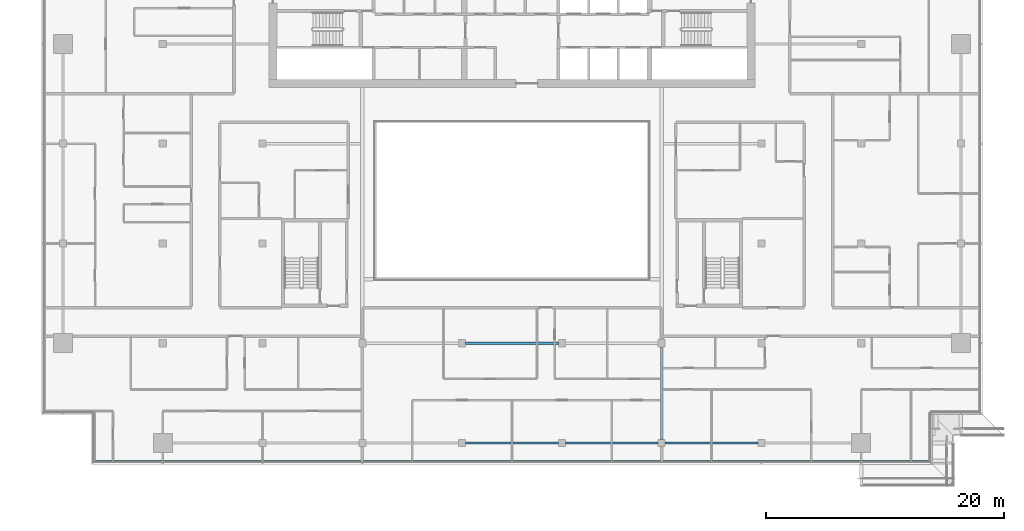
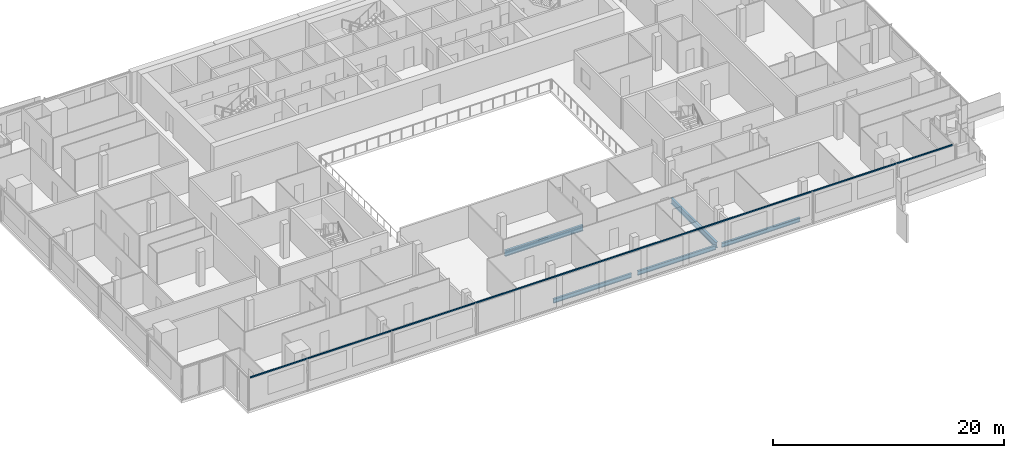
# One storey, part 7 of 30: 5 beams, 1 member, 1 element without a shape of its own.
"""IFC4 building model written with IfcOpenShell, lengths in metres."""

from ifc_helpers import new_model, si_unit, direction, frame, origin, origin_2d, place, context, subcontext, project, spatial, rectangle, i_section, extrude, material, material_profile, profile_set, type_object, element, aggregate, save


model = new_model("IFC4")

# Units and contexts
model_context = context("Model", 3, precision=1e-05, world=origin(), true_north=direction((0.0, 1.0)))
body_context = subcontext(model_context, "Body", "Model", "MODEL_VIEW")
ifc_project = project(units=[si_unit("LENGTHUNIT", "METRE"), si_unit("AREAUNIT", "SQUARE_METRE"), si_unit("VOLUMEUNIT", "CUBIC_METRE"), si_unit("PLANEANGLEUNIT", "RADIAN"), si_unit("MASSUNIT", "GRAM", prefix="KILO")], contexts=[model_context])

# Site, building, storey
site_placement = place(None, origin())
site = spatial("IfcSite", under=ifc_project, at=site_placement, CompositionType="ELEMENT")
building_placement = place(site_placement, origin())
building = spatial("IfcBuilding", under=site, at=building_placement, Name="Saffron Gate Tower", CompositionType="ELEMENT")
storey_placement = place(building_placement, frame((0.0, 0.0, 237.89990234375)))
storey = spatial("IfcBuildingStorey", under=building, at=storey_placement, Name="L58", CompositionType="ELEMENT", Elevation=237.89990234375)

# Beams
ifc_material_1 = material(Name="Structural steel S355", Category="steel")
ifc_material_profile_1 = material_profile(ifc_material_1, i_section(OverallWidth=0.219970703125, OverallDepth=0.60009765625, WebThickness=0.011962890625, FlangeThickness=0.01904296875, FilletRadius=0.02392578125, at=origin_2d()))
ifc_profile_set_1 = profile_set([ifc_material_profile_1], Name="Structural steel S355")
beam_type_1 = type_object("IfcBeamType", Name="B15 IPE 600", PredefinedType="BEAM", material=ifc_profile_set_1)
beam_1_placement = place(storey_placement, frame((100.199951171875, 32.10009765625, -0.579833984375), z_axis=(0.0, 1.0, 0.0), x_axis=(-1.0, 0.0, 0.0)))
element("IfcBeam", 1, at=beam_1_placement, inside=storey, type_object=beam_type_1, Name="B15 FLOOR GIRDER", PredefinedType="BEAM", context=body_context, shape_type="SweptSolid", body=[
    extrude(i_section(OverallWidth=0.219970703125, OverallDepth=0.60009765625, WebThickness=0.011962890625, FlangeThickness=0.01904296875, FilletRadius=0.02392578125, at=origin_2d()), origin(), (0.0, 0.0, 1.0), 7.7998046875),
])
beam_2_placement = place(storey_placement, frame((83.699951171875, 40.199951171875, -0.579833984375), z_axis=(1.0, 0.0, 0.0), x_axis=(0.0, 1.0, 0.0)))
element("IfcBeam", 2, at=beam_2_placement, inside=storey, type_object=beam_type_1, Name="B15 FLOOR GIRDER", PredefinedType="BEAM", context=body_context, shape_type="SweptSolid", body=[
    extrude(i_section(OverallWidth=0.219970703125, OverallDepth=0.60009765625, WebThickness=0.011962890625, FlangeThickness=0.01904296875, FilletRadius=0.02392578125, at=origin_2d()), origin(), (0.0, 0.0, 1.0), 7.800048828125),
])
ifc_material_profile_2 = material_profile(ifc_material_1, i_section(OverallWidth=0.18994140625, OverallDepth=0.449951171875, WebThickness=0.009521484375, FlangeThickness=0.0146484375, FilletRadius=0.02099609375, at=origin_2d()))
ifc_profile_set_2 = profile_set([ifc_material_profile_2], Name="Structural steel S355")
beam_type_2 = type_object("IfcBeamType", Name="B7 IPE 450", PredefinedType="SPANDREL", material=ifc_profile_set_2)
beam_3_placement = place(storey_placement, frame((83.699951171875, 31.800048828125, -0.5048828125), z_axis=(1.0, 0.0, 0.0), x_axis=(0.0, 1.0, 0.0)))
element("IfcBeam", 3, at=beam_3_placement, inside=storey, type_object=beam_type_2, Name="B7 SPANDREL BEAM", PredefinedType="SPANDREL", context=body_context, shape_type="SweptSolid", body=[
    extrude(i_section(OverallWidth=0.18994140625, OverallDepth=0.449951171875, WebThickness=0.009521484375, FlangeThickness=0.0146484375, FilletRadius=0.02099609375, at=origin_2d()), origin(), (0.0, 0.0, 1.0), 7.800048828125),
])
beam_4_placement = place(storey_placement, frame((92.10009765625, 31.800048828125, -0.5048828125), z_axis=(1.0, 0.0, 0.0), x_axis=(0.0, 1.0, 0.0)))
element("IfcBeam", 4, at=beam_4_placement, inside=storey, type_object=beam_type_2, Name="B7 SPANDREL BEAM", PredefinedType="SPANDREL", context=body_context, shape_type="SweptSolid", body=[
    extrude(i_section(OverallWidth=0.18994140625, OverallDepth=0.449951171875, WebThickness=0.009521484375, FlangeThickness=0.0146484375, FilletRadius=0.02099609375, at=origin_2d()), origin(), (0.0, 0.0, 1.0), 7.7998046875),
])
beam_5_placement = place(storey_placement, frame((100.5, 31.800048828125, -0.5048828125), z_axis=(1.0, 0.0, 0.0), x_axis=(0.0, 1.0, 0.0)))
element("IfcBeam", 5, at=beam_5_placement, inside=storey, type_object=beam_type_2, Name="B7 SPANDREL BEAM", PredefinedType="SPANDREL", context=body_context, shape_type="SweptSolid", body=[
    extrude(i_section(OverallWidth=0.18994140625, OverallDepth=0.449951171875, WebThickness=0.009521484375, FlangeThickness=0.0146484375, FilletRadius=0.02099609375, at=origin_2d()), origin(), (0.0, 0.0, 1.0), 7.800048828125),
])

# Curtain wall, member
ifc_material_2 = material(Name="Aluminium, bronze anodised", Category="aluminium")
curtain_wall_type = type_object("IfcCurtainWallType", Name="CWS1 curtain wall front facade", PredefinedType="NOTDEFINED", material=ifc_material_2)
curtain_wall_placement = place(storey_placement, origin())
curtain_wall = element("IfcCurtainWall", 6, at=curtain_wall_placement, inside=storey, type_object=curtain_wall_type, Name="CWS1 run 1", PredefinedType="NOTDEFINED")
ifc_material_profile_3 = material_profile(ifc_material_2, rectangle(XDim=0.1201171875, YDim=0.1201171875, at=origin_2d()))
ifc_profile_set_3 = profile_set([ifc_material_profile_3], Name="Aluminium, bronze anodised")
member_type = type_object("IfcMemberType", Name="CWS1 head transom", PredefinedType="USERDEFINED", material=ifc_profile_set_3)
member_placement = place(storey_placement, frame((52.568115234375, 30.248046875, 3.260009765625), z_axis=(1.0, 0.0, 0.0), x_axis=(0.0, 1.0, 0.0)))
member = element("IfcMember", 7, at=member_placement, type_object=member_type, Name="CWS1 head transom", ObjectType="TRANSOM", PredefinedType="USERDEFINED", context=body_context, shape_type="SweptSolid", body=[
    extrude(rectangle(XDim=0.1201171875, YDim=0.1201171875, at=origin_2d()), origin(), (0.0, 0.0, 1.0), 70.06396484375),
])
aggregate(curtain_wall, [member])

save(model, "model.ifc")
